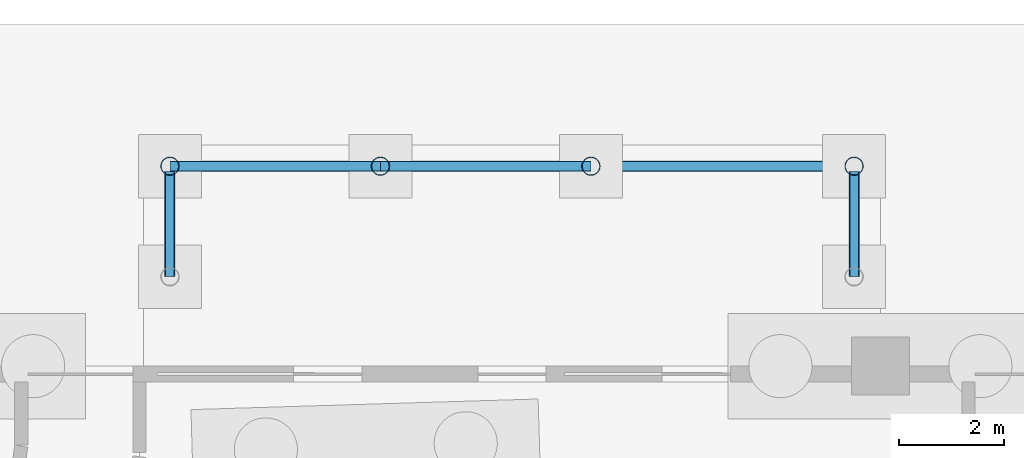
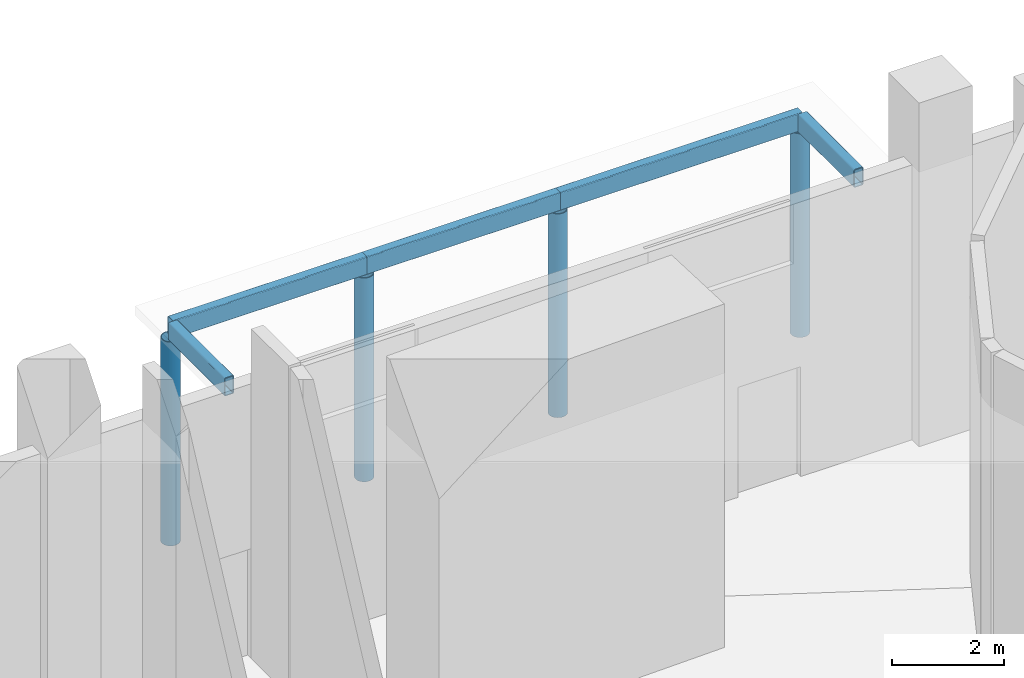
# One storey, part 4 of 16: 5 beams, 4 columns.
"""IFC4 building model written with IfcOpenShell, lengths in metres."""

from ifc_helpers import new_model, si_unit, direction, frame, origin, origin_2d, place, context, subcontext, project, spatial, hollow_rectangle, hollow_circle, extrude, material, material_profile, profile_set, type_object, element, save


model = new_model("IFC4")

# Units and contexts
model_context = context("Model", 3, precision=1e-05, world=origin(), true_north=direction((0.0, 1.0)))
body_context = subcontext(model_context, "Body", "Model", "MODEL_VIEW")
ifc_project = project(units=[si_unit("LENGTHUNIT", "METRE"), si_unit("AREAUNIT", "SQUARE_METRE"), si_unit("VOLUMEUNIT", "CUBIC_METRE"), si_unit("PLANEANGLEUNIT", "RADIAN"), si_unit("MASSUNIT", "GRAM", prefix="KILO")], contexts=[model_context])

# Site, building, storey
site_placement = place(None, origin())
site = spatial("IfcSite", under=ifc_project, at=site_placement, CompositionType="ELEMENT")
building_placement = place(site_placement, origin())
building = spatial("IfcBuilding", under=site, at=building_placement, Name="Vanh Sen Convention Tower", CompositionType="ELEMENT")
storey_placement = place(building_placement, origin())
storey = spatial("IfcBuildingStorey", under=building, at=storey_placement, Name="L00", CompositionType="ELEMENT", Elevation=0.0)

# Columns
ifc_material = material(Name="Steel S355", Category="steel")
ifc_material_profile_1 = material_profile(ifc_material, hollow_circle(Radius=0.177734375, WallThickness=0.01611328125, at=origin_2d()), Name="CHS 355.6X16.0")
ifc_profile_set_1 = profile_set([ifc_material_profile_1], Name="Steel S355")
column_type = type_object("IfcColumnType", Name="Canopy column CHS 355.6X16.0", PredefinedType="COLUMN", material=ifc_profile_set_1)
for number, where, z_axis, x_axis, name in (
    (1, (-4.5, 30.800048828125, -0.14990234375), (0.0, 0.0, 1.0), (1.0, 0.0, 0.0), "Canopy column 1"),
    (2, (-0.5, 30.800048828125, -0.14990234375), (0.0, 0.0, 1.0), (1.0, 0.0, 0.0), "Canopy column 2"),
    (3, (3.5, 30.800048828125, -0.14990234375), (0.0, 0.0, 1.0), (1.0, 0.0, 0.0), "Canopy column 3"),
    (4, (8.5, 30.800048828125, -0.14990234375), (0.0, 0.0, 1.0), (1.0, 0.0, 0.0), "Canopy column 4"),
):
    element("IfcColumn", number, at=place(storey_placement, frame(where, z_axis=z_axis, x_axis=x_axis)), inside=storey, type_object=column_type, Name=name, PredefinedType="COLUMN", context=body_context, shape_type="SweptSolid", body=[
        extrude(hollow_circle(Radius=0.177734375, WallThickness=0.01611328125, at=origin_2d()), origin(), (0.0, 0.0, 1.0), 4.449951171875),
    ])

# Beams
ifc_material_profile_2 = material_profile(ifc_material, hollow_rectangle(XDim=0.199951171875, YDim=0.39990234375, WallThickness=0.01611328125, InnerFilletRadius=0.01611328125, OuterFilletRadius=0.031982421875, at=origin_2d()), Name="RHS 400X200X16")
ifc_profile_set_2 = profile_set([ifc_material_profile_2], Name="Steel S355")
beam_type_1 = type_object("IfcBeamType", Name="Canopy beam RHS 400X200X16", PredefinedType="BEAM", material=ifc_profile_set_2)
for number, where, z_axis, x_axis, name in (
    (5, (-4.5, 30.800048828125, 4.5), (1.0, 0.0, 0.0), (0.0, 1.0, 0.0), "Canopy beam front-1"),
    (6, (-0.5, 30.800048828125, 4.5), (1.0, 0.0, 0.0), (0.0, 1.0, 0.0), "Canopy beam front-2"),
):
    element("IfcBeam", number, at=place(storey_placement, frame(where, z_axis=z_axis, x_axis=x_axis)), inside=storey, type_object=beam_type_1, Name=name, PredefinedType="BEAM", context=body_context, shape_type="SweptSolid", body=[
        extrude(hollow_rectangle(XDim=0.199951171875, YDim=0.39990234375, WallThickness=0.01611328125, InnerFilletRadius=0.01611328125, OuterFilletRadius=0.031982421875, at=origin_2d()), origin(), (0.0, 0.0, 1.0), 4.0),
    ])
beam_placement = place(storey_placement, frame((3.5, 30.800048828125, 4.5), z_axis=(1.0, 0.0, 0.0), x_axis=(0.0, 1.0, 0.0)))
element("IfcBeam", 7, at=beam_placement, inside=storey, type_object=beam_type_1, Name="Canopy beam front-3", PredefinedType="BEAM", context=body_context, shape_type="SweptSolid", body=[
    extrude(hollow_rectangle(XDim=0.199951171875, YDim=0.39990234375, WallThickness=0.01611328125, InnerFilletRadius=0.01611328125, OuterFilletRadius=0.031982421875, at=origin_2d()), origin(), (0.0, 0.0, 1.0), 5.0),
])
ifc_material_profile_3 = material_profile(ifc_material, hollow_rectangle(XDim=0.199951171875, YDim=0.39990234375, WallThickness=0.01611328125, InnerFilletRadius=0.01611328125, OuterFilletRadius=0.031982421875, at=origin_2d()), Name="RHS 400X200X16")
ifc_profile_set_3 = profile_set([ifc_material_profile_3], Name="Steel S355")
beam_type_2 = type_object("IfcBeamType", Name="Canopy edge beam RHS 400X200X16", PredefinedType="BEAM", material=ifc_profile_set_3)
for number, where, z_axis, x_axis, name in (
    (8, (-4.5, 28.699951171875, 4.5), (0.0, 1.0, 0.0), (-1.0, 0.0, 0.0), "Canopy beam west"),
    (9, (8.5, 28.699951171875, 4.5), (0.0, 1.0, 0.0), (-1.0, 0.0, 0.0), "Canopy beam east"),
):
    element("IfcBeam", number, at=place(storey_placement, frame(where, z_axis=z_axis, x_axis=x_axis)), inside=storey, type_object=beam_type_2, Name=name, PredefinedType="BEAM", context=body_context, shape_type="SweptSolid", body=[
        extrude(hollow_rectangle(XDim=0.199951171875, YDim=0.39990234375, WallThickness=0.01611328125, InnerFilletRadius=0.01611328125, OuterFilletRadius=0.031982421875, at=origin_2d()), origin(), (0.0, 0.0, 1.0), 2.0),
    ])

save(model, "model.ifc")
